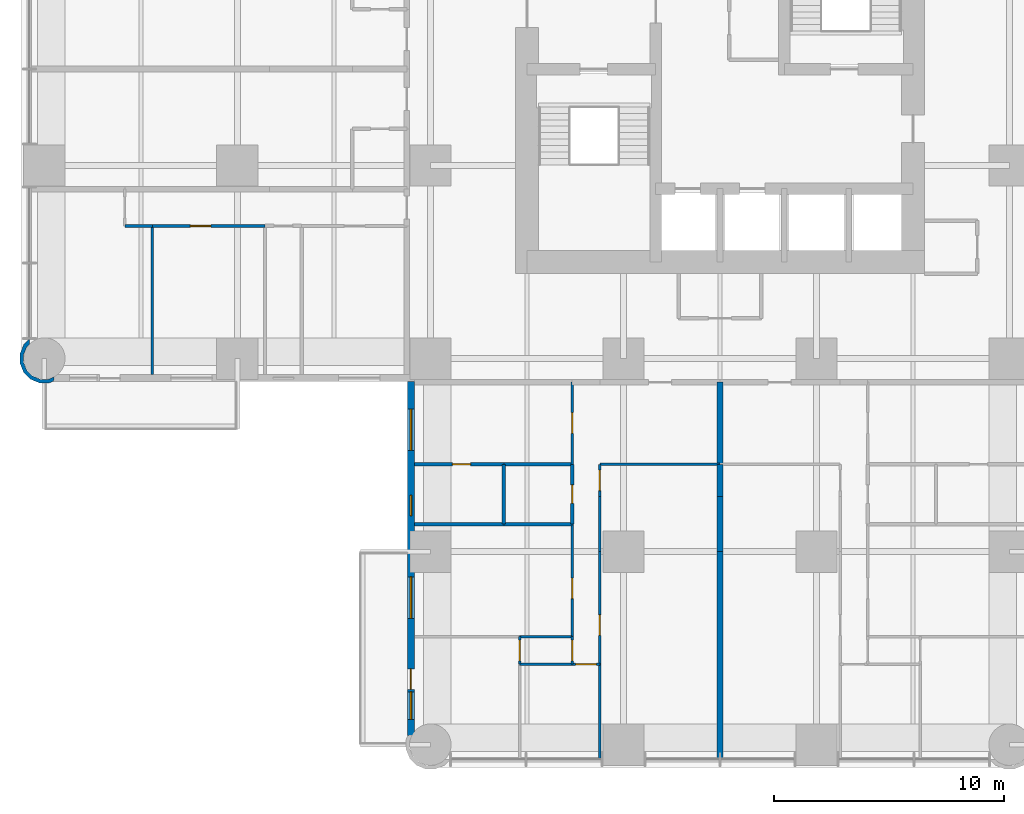
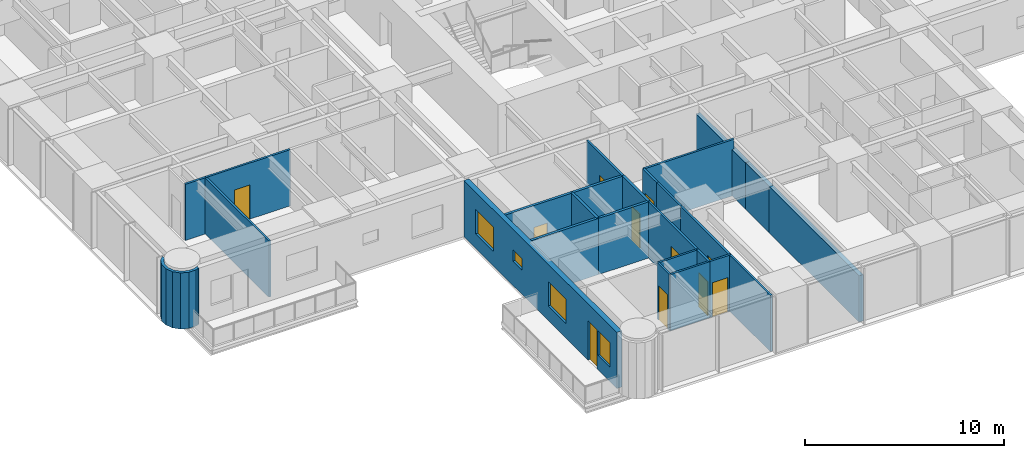
# One storey, part 7 of 17: 27 walls, 11 doors, 4 windows, 15 openings.
"""IFC4 building model written with IfcOpenShell, lengths in metres."""

from ifc_helpers import new_model, si_unit, direction, frame, frame_2d, origin, place, context, subcontext, project, spatial, polyline, rectangle, outline, extrude, material, layer, layer_set, type_object, element, fill, save


model = new_model("IFC4")

# Units and contexts
model_context = context("Model", 3, precision=1e-05, world=origin(), true_north=direction((0.0, 1.0)))
body_context = subcontext(model_context, "Body", "Model", "MODEL_VIEW")
ifc_project = project(units=[si_unit("LENGTHUNIT", "METRE"), si_unit("AREAUNIT", "SQUARE_METRE"), si_unit("VOLUMEUNIT", "CUBIC_METRE"), si_unit("PLANEANGLEUNIT", "RADIAN"), si_unit("MASSUNIT", "GRAM", prefix="KILO")], contexts=[model_context])

# Site, building, storey
site_placement = place(None, origin())
site = spatial("IfcSite", under=ifc_project, at=site_placement, CompositionType="ELEMENT")
building_placement = place(site_placement, origin())
building = spatial("IfcBuilding", under=site, at=building_placement, Name="Torre Alcanfor", CompositionType="ELEMENT")
storey_placement = place(building_placement, frame((0.0, 0.0, 70.5)))
storey = spatial("IfcBuildingStorey", under=building, at=storey_placement, Name="L17", CompositionType="ELEMENT", Elevation=70.5)

# Wall
ifc_material_1 = material(Name="Gypsum board on steel studs", Category="steel")
ifc_layer_1 = layer(ifc_material_1, 0.1201171875)
ifc_layer_set_1 = layer_set([ifc_layer_1], Name="Apartment partition 120")
wall_type_1 = type_object("IfcWallType", Name="Apartment partition 120", PredefinedType="PARTITIONING", material=ifc_layer_set_1)
wall_1_placement = place(storey_placement, frame((29.39990234375, 12.199951171875, 0.0), z_axis=(0.0, 0.0, 1.0), x_axis=(-1.0, 0.0, 0.0)))
element("IfcWall", 1, at=wall_1_placement, inside=storey, type_object=wall_type_1, Name="Partition L17-S2-ZAG / L17-S2-LAUND", PredefinedType="PARTITIONING", context=body_context, shape_type="SweptSolid", body=[
    extrude(rectangle(XDim=5.22900390625, YDim=0.1201171875, at=frame_2d((2.614501953125, 0.0))), origin(), (0.0, 0.0, 1.0), 3.449951171875),
])

# Wall, opening, door
wall_2_placement = place(storey_placement, frame((24.1708984375, 10.800048828125, 0.0), z_axis=(0.0, 0.0, 1.0), x_axis=(0.0, 1.0, 0.0)))
wall_2 = element("IfcWall", 2, at=wall_2_placement, inside=storey, type_object=wall_type_1, Name="Partition L17-S2-LAUND / L17-S2-HALL", PredefinedType="PARTITIONING", context=body_context, shape_type="SweptSolid", body=[
    extrude(rectangle(XDim=1.39990234375, YDim=0.1201171875, at=frame_2d((0.699951171875, 0.0))), origin(), (0.0, 0.0, 1.0), 3.449951171875),
])
opening_1_placement = place(wall_2_placement, frame((0.25, 0.0, 0.0)))
opening_1 = element("IfcOpeningElement", 3, at=opening_1_placement, cuts=wall_2, Name="Opening D-R1", PredefinedType="OPENING", context=body_context, shape_type="SweptSolid", body=[
    extrude(rectangle(XDim=0.89990234375, YDim=2.10009765625, at=frame_2d((0.449951171875, 1.050048828125))), frame((0.0, 0.070068359375, 0.0), z_axis=(0.0, -1.0, 0.0), x_axis=(1.0, 0.0, 0.0)), (0.0, 0.0, 1.0), 0.14013671875),
])
ifc_material_2 = material(Name="Timber", Category="wood")
door_type_1 = type_object("IfcDoorType", Name="Internal door 900x2100", OperationType="SINGLE_SWING_LEFT", PredefinedType="DOOR", material=ifc_material_2)
door_1_placement = place(opening_1_placement, frame((0.89990234375, 0.0, 0.0), z_axis=(0.0, 0.0, 1.0), x_axis=(-1.0, 0.0, 0.0)))
door_1 = element("IfcDoor", 4, at=door_1_placement, inside=storey, type_object=door_type_1, Name="Door L17-S2 laund", OperationType="SINGLE_SWING_RIGHT", OverallHeight=2.10009765625, OverallWidth=0.89990234375, PredefinedType="DOOR", context=body_context, shape_type="SweptSolid", body=[
    extrude(rectangle(XDim=0.89990234375, YDim=2.10009765625, at=frame_2d((0.449951171875, 1.050048828125))), frame((0.0, 0.025146484375, 0.0), z_axis=(0.0, -1.0, 0.0), x_axis=(1.0, 0.0, 0.0)), (0.0, 0.0, 1.0), 0.050048828125),
])
fill(opening_1, door_1)

# Wall
wall_3_placement = place(storey_placement, frame((24.1708984375, 8.39990234375, 0.0), z_axis=(0.0, 0.0, 1.0), x_axis=(0.0, 1.0, 0.0)))
element("IfcWall", 5, at=wall_3_placement, inside=storey, type_object=wall_type_1, Name="Partition L17-S2-KITCHEN / L17-S2-HALL", PredefinedType="PARTITIONING", context=body_context, shape_type="SweptSolid", body=[
    extrude(rectangle(XDim=2.400146484375, YDim=0.1201171875, at=frame_2d((1.2001953125, 0.0))), origin(), (0.0, 0.0, 1.0), 3.449951171875),
])

# Wall, opening, door
wall_4_placement = place(storey_placement, frame((24.1708984375, 3.5, 0.0), z_axis=(0.0, 0.0, 1.0), x_axis=(0.0, 1.0, 0.0)))
wall_4 = element("IfcWall", 6, at=wall_4_placement, inside=storey, type_object=wall_type_1, Name="Partition L17-S2-LIVING / L17-S2-HALL", PredefinedType="PARTITIONING", context=body_context, shape_type="SweptSolid", body=[
    extrude(rectangle(XDim=4.89990234375, YDim=0.1201171875, at=frame_2d((2.449951171875, 0.0))), origin(), (0.0, 0.0, 1.0), 3.449951171875),
])
opening_2_placement = place(wall_4_placement, frame((1.25, 0.0, 0.0)))
opening_2 = element("IfcOpeningElement", 7, at=opening_2_placement, cuts=wall_4, Name="Opening D-R1", PredefinedType="OPENING", context=body_context, shape_type="SweptSolid", body=[
    extrude(rectangle(XDim=0.89990234375, YDim=2.10009765625, at=frame_2d((0.449951171875, 1.050048828125))), frame((0.0, 0.070068359375, 0.0), z_axis=(0.0, -1.0, 0.0), x_axis=(1.0, 0.0, 0.0)), (0.0, 0.0, 1.0), 0.14013671875),
])
door_2_placement = place(opening_2_placement, frame((0.89990234375, 0.0, 0.0), z_axis=(0.0, 0.0, 1.0), x_axis=(-1.0, 0.0, 0.0)))
door_2 = element("IfcDoor", 8, at=door_2_placement, inside=storey, type_object=door_type_1, Name="Door L17-S2 living", OperationType="SINGLE_SWING_LEFT", OverallHeight=2.10009765625, OverallWidth=0.89990234375, PredefinedType="DOOR", context=body_context, shape_type="SweptSolid", body=[
    extrude(rectangle(XDim=0.89990234375, YDim=2.10009765625, at=frame_2d((0.449951171875, 1.050048828125))), frame((0.0, 0.025146484375, 0.0), z_axis=(0.0, -1.0, 0.0), x_axis=(1.0, 0.0, 0.0)), (0.0, 0.0, 1.0), 0.050048828125),
])
fill(opening_2, door_2)

# Wall
wall_5_placement = place(storey_placement, frame((24.1708984375, -0.64990234375, 0.0), z_axis=(0.0, 0.0, 1.0), x_axis=(0.0, 1.0, 0.0)))
element("IfcWall", 9, at=wall_5_placement, inside=storey, type_object=wall_type_1, Name="Partition L17-S2-LIVING / L17-S2-BED2", PredefinedType="PARTITIONING", context=body_context, shape_type="SweptSolid", body=[
    extrude(rectangle(XDim=4.14990234375, YDim=0.1201171875, at=frame_2d((2.074951171875, 0.0))), origin(), (0.0, 0.0, 1.0), 3.449951171875),
])

# Wall, opening, door
wall_6_placement = place(storey_placement, frame((22.970947265625, 12.199951171875, 0.0), z_axis=(0.0, 0.0, 1.0), x_axis=(0.0, 1.0, 0.0)))
wall_6 = element("IfcWall", 10, at=wall_6_placement, inside=storey, type_object=wall_type_1, Name="Partition L17-S2-HALL / L17-S2-SERV", PredefinedType="PARTITIONING", context=body_context, shape_type="SweptSolid", body=[
    extrude(rectangle(XDim=3.574951171875, YDim=0.1201171875, at=frame_2d((1.78759765625, 0.0))), origin(), (0.0, 0.0, 1.0), 3.449951171875),
])
opening_3_placement = place(wall_6_placement, frame((1.35009765625, 0.0, 0.0)))
opening_3 = element("IfcOpeningElement", 11, at=opening_3_placement, cuts=wall_6, Name="Opening D-R1", PredefinedType="OPENING", context=body_context, shape_type="SweptSolid", body=[
    extrude(rectangle(XDim=0.89990234375, YDim=2.10009765625, at=frame_2d((0.449951171875, 1.050048828125))), frame((0.0, 0.070068359375, 0.0), z_axis=(0.0, -1.0, 0.0), x_axis=(1.0, 0.0, 0.0)), (0.0, 0.0, 1.0), 0.14013671875),
])
door_3_placement = place(opening_3_placement, origin())
door_3 = element("IfcDoor", 12, at=door_3_placement, inside=storey, type_object=door_type_1, Name="Door L17-S2 serv", OperationType="SINGLE_SWING_RIGHT", OverallHeight=2.10009765625, OverallWidth=0.89990234375, PredefinedType="DOOR", context=body_context, shape_type="SweptSolid", body=[
    extrude(rectangle(XDim=0.89990234375, YDim=2.10009765625, at=frame_2d((0.449951171875, 1.050048828125))), frame((0.0, 0.02490234375, 0.0), z_axis=(0.0, -1.0, 0.0), x_axis=(1.0, 0.0, 0.0)), (0.0, 0.0, 1.0), 0.050048828125),
])
fill(opening_3, door_3)

wall_7_placement = place(storey_placement, frame((22.970947265625, 4.699951171875, 0.0), z_axis=(0.0, 0.0, 1.0), x_axis=(0.0, 1.0, 0.0)))
wall_7 = element("IfcWall", 13, at=wall_7_placement, inside=storey, type_object=wall_type_1, Name="Partition L17-S2-HALL / L17-S2-BED3", PredefinedType="PARTITIONING", context=body_context, shape_type="SweptSolid", body=[
    extrude(rectangle(XDim=4.900146484375, YDim=0.1201171875, at=frame_2d((2.4501953125, 0.0))), origin(), (0.0, 0.0, 1.0), 3.449951171875),
])
opening_4_placement = place(wall_7_placement, frame((1.64990234375, 0.0, 0.0)))
opening_4 = element("IfcOpeningElement", 14, at=opening_4_placement, cuts=wall_7, Name="Opening D-R1", PredefinedType="OPENING", context=body_context, shape_type="SweptSolid", body=[
    extrude(rectangle(XDim=0.89990234375, YDim=2.10009765625, at=frame_2d((0.449951171875, 1.050048828125))), frame((0.0, 0.070068359375, 0.0), z_axis=(0.0, -1.0, 0.0), x_axis=(1.0, 0.0, 0.0)), (0.0, 0.0, 1.0), 0.14013671875),
])
door_4_placement = place(opening_4_placement, origin())
door_4 = element("IfcDoor", 15, at=door_4_placement, inside=storey, type_object=door_type_1, Name="Door L17-S2 bed3", OperationType="SINGLE_SWING_LEFT", OverallHeight=2.10009765625, OverallWidth=0.89990234375, PredefinedType="DOOR", context=body_context, shape_type="SweptSolid", body=[
    extrude(rectangle(XDim=0.89990234375, YDim=2.10009765625, at=frame_2d((0.449951171875, 1.050048828125))), frame((0.0, 0.02490234375, 0.0), z_axis=(0.0, -1.0, 0.0), x_axis=(1.0, 0.0, 0.0)), (0.0, 0.0, 1.0), 0.050048828125),
])
fill(opening_4, door_4)

wall_8_placement = place(storey_placement, frame((22.970947265625, 3.5, 0.0), z_axis=(0.0, 0.0, 1.0), x_axis=(0.0, 1.0, 0.0)))
wall_8 = element("IfcWall", 16, at=wall_8_placement, inside=storey, type_object=wall_type_1, Name="Partition L17-S2-HALL / L17-S2-VEST", PredefinedType="PARTITIONING", context=body_context, shape_type="SweptSolid", body=[
    extrude(rectangle(XDim=1.199951171875, YDim=0.1201171875, at=frame_2d((0.60009765625, 0.0))), origin(), (0.0, 0.0, 1.0), 3.449951171875),
])
opening_5_placement = place(wall_8_placement, frame((0.14990234375, 0.0, 0.0)))
opening_5 = element("IfcOpeningElement", 17, at=opening_5_placement, cuts=wall_8, Name="Opening D-R1", PredefinedType="OPENING", context=body_context, shape_type="SweptSolid", body=[
    extrude(rectangle(XDim=0.89990234375, YDim=2.10009765625, at=frame_2d((0.449951171875, 1.050048828125))), frame((0.0, 0.070068359375, 0.0), z_axis=(0.0, -1.0, 0.0), x_axis=(1.0, 0.0, 0.0)), (0.0, 0.0, 1.0), 0.14013671875),
])
door_5_placement = place(opening_5_placement, origin())
door_5 = element("IfcDoor", 18, at=door_5_placement, inside=storey, type_object=door_type_1, Name="Door L17-S2 vest", OperationType="SINGLE_SWING_LEFT", OverallHeight=2.10009765625, OverallWidth=0.89990234375, PredefinedType="DOOR", context=body_context, shape_type="SweptSolid", body=[
    extrude(rectangle(XDim=0.89990234375, YDim=2.10009765625, at=frame_2d((0.449951171875, 1.050048828125))), frame((0.0, 0.02490234375, 0.0), z_axis=(0.0, -1.0, 0.0), x_axis=(1.0, 0.0, 0.0)), (0.0, 0.0, 1.0), 0.050048828125),
])
fill(opening_5, door_5)

wall_9_placement = place(storey_placement, frame((24.1708984375, 3.5, 0.0), z_axis=(0.0, 0.0, 1.0), x_axis=(-1.0, 0.0, 0.0)))
wall_9 = element("IfcWall", 19, at=wall_9_placement, inside=storey, type_object=wall_type_1, Name="Partition L17-S2-HALL / L17-S2-BED2", PredefinedType="PARTITIONING", context=body_context, shape_type="SweptSolid", body=[
    extrude(rectangle(XDim=1.199951171875, YDim=0.1201171875, at=frame_2d((0.60009765625, 0.0))), origin(), (0.0, 0.0, 1.0), 3.449951171875),
])
opening_6_placement = place(wall_9_placement, frame((0.15087890625, 0.0, 0.0)))
opening_6 = element("IfcOpeningElement", 20, at=opening_6_placement, cuts=wall_9, Name="Opening D-R1", PredefinedType="OPENING", context=body_context, shape_type="SweptSolid", body=[
    extrude(rectangle(XDim=0.89990234375, YDim=2.10009765625, at=frame_2d((0.449951171875, 1.050048828125))), frame((0.0, 0.070068359375, 0.0), z_axis=(0.0, -1.0, 0.0), x_axis=(1.0, 0.0, 0.0)), (0.0, 0.0, 1.0), 0.14013671875),
])
door_6_placement = place(opening_6_placement, origin())
door_6 = element("IfcDoor", 21, at=door_6_placement, inside=storey, type_object=door_type_1, Name="Door L17-S2 bed2", OperationType="SINGLE_SWING_LEFT", OverallHeight=2.10009765625, OverallWidth=0.89990234375, PredefinedType="DOOR", context=body_context, shape_type="SweptSolid", body=[
    extrude(rectangle(XDim=0.89990234375, YDim=2.10009765625, at=frame_2d((0.449951171875, 1.050048828125))), frame((0.0, 0.02490234375, 0.0), z_axis=(0.0, -1.0, 0.0), x_axis=(1.0, 0.0, 0.0)), (0.0, 0.0, 1.0), 0.050048828125),
])
fill(opening_6, door_6)

# Walls
for number, where, z_axis, x_axis, name in (
    (22, (22.970947265625, 4.699951171875, 0.0), (0.0, 0.0, 1.0), (-1.0, 0.0, 0.0), "Partition L17-S2-BED3 / L17-S2-VEST"),
    (23, (22.970947265625, 3.5, 0.0), (0.0, 0.0, 1.0), (-1.0, 0.0, 0.0), "Partition L17-S2-VEST / L17-S2-BED2"),
):
    element("IfcWall", number, at=place(storey_placement, frame(where, z_axis=z_axis, x_axis=x_axis)), inside=storey, type_object=wall_type_1, Name=name, PredefinedType="PARTITIONING", context=body_context, shape_type="SweptSolid", body=[
        extrude(rectangle(XDim=2.284912109375, YDim=0.1201171875, at=frame_2d((1.142578125, 0.0))), origin(), (0.0, 0.0, 1.0), 3.449951171875),
    ])

# Wall, opening, door
wall_10_placement = place(storey_placement, frame((20.68603515625, 3.5, 0.0), z_axis=(0.0, 0.0, 1.0), x_axis=(0.0, 1.0, 0.0)))
wall_10 = element("IfcWall", 24, at=wall_10_placement, inside=storey, type_object=wall_type_1, Name="Partition L17-S2-VEST / L17-S2-MASTER", PredefinedType="PARTITIONING", context=body_context, shape_type="SweptSolid", body=[
    extrude(rectangle(XDim=1.199951171875, YDim=0.1201171875, at=frame_2d((0.60009765625, 0.0))), origin(), (0.0, 0.0, 1.0), 3.449951171875),
])
opening_7_placement = place(wall_10_placement, frame((0.14990234375, 0.0, 0.0)))
opening_7 = element("IfcOpeningElement", 25, at=opening_7_placement, cuts=wall_10, Name="Opening D-R1", PredefinedType="OPENING", context=body_context, shape_type="SweptSolid", body=[
    extrude(rectangle(XDim=0.89990234375, YDim=2.10009765625, at=frame_2d((0.449951171875, 1.050048828125))), frame((0.0, 0.070068359375, 0.0), z_axis=(0.0, -1.0, 0.0), x_axis=(1.0, 0.0, 0.0)), (0.0, 0.0, 1.0), 0.14013671875),
])
door_7_placement = place(opening_7_placement, frame((0.89990234375, 0.0, 0.0), z_axis=(0.0, 0.0, 1.0), x_axis=(-1.0, 0.0, 0.0)))
door_7 = element("IfcDoor", 26, at=door_7_placement, inside=storey, type_object=door_type_1, Name="Door L17-S2 master", OperationType="SINGLE_SWING_RIGHT", OverallHeight=2.10009765625, OverallWidth=0.89990234375, PredefinedType="DOOR", context=body_context, shape_type="SweptSolid", body=[
    extrude(rectangle(XDim=0.89990234375, YDim=2.10009765625, at=frame_2d((0.449951171875, 1.050048828125))), frame((0.0, 0.025146484375, 0.0), z_axis=(0.0, -1.0, 0.0), x_axis=(1.0, 0.0, 0.0)), (0.0, 0.0, 1.0), 0.050048828125),
])
fill(opening_7, door_7)

wall_11_placement = place(storey_placement, frame((4.699951171875, 22.571044921875, 0.0), z_axis=(0.0, 0.0, 1.0), x_axis=(1.0, 0.0, 0.0)))
wall_11 = element("IfcWall", 27, at=wall_11_placement, inside=storey, type_object=wall_type_1, Name="Partition L17-W1B-HALL / L17-W1B-MASTER", PredefinedType="PARTITIONING", context=body_context, shape_type="SweptSolid", body=[
    extrude(rectangle(XDim=4.900146484375, YDim=0.1201171875, at=frame_2d((2.4501953125, 0.0))), origin(), (0.0, 0.0, 1.0), 3.449951171875),
])
opening_8_placement = place(wall_11_placement, frame((1.64990234375, 0.0, 0.0)))
opening_8 = element("IfcOpeningElement", 28, at=opening_8_placement, cuts=wall_11, Name="Opening D-R1", PredefinedType="OPENING", context=body_context, shape_type="SweptSolid", body=[
    extrude(rectangle(XDim=0.89990234375, YDim=2.10009765625, at=frame_2d((0.449951171875, 1.050048828125))), frame((0.0, 0.070068359375, 0.0), z_axis=(0.0, -1.0, 0.0), x_axis=(1.0, 0.0, 0.0)), (0.0, 0.0, 1.0), 0.14013671875),
])
door_8_placement = place(opening_8_placement, frame((0.89990234375, 0.0, 0.0), z_axis=(0.0, 0.0, 1.0), x_axis=(-1.0, 0.0, 0.0)))
door_8 = element("IfcDoor", 29, at=door_8_placement, inside=storey, type_object=door_type_1, Name="Door L17-W1B master", OperationType="SINGLE_SWING_RIGHT", OverallHeight=2.10009765625, OverallWidth=0.89990234375, PredefinedType="DOOR", context=body_context, shape_type="SweptSolid", body=[
    extrude(rectangle(XDim=0.89990234375, YDim=2.10009765625, at=frame_2d((0.449951171875, 1.050048828125))), frame((0.0, 0.025146484375, 0.0), z_axis=(0.0, -1.0, 0.0), x_axis=(1.0, 0.0, 0.0)), (0.0, 0.0, 1.0), 0.050048828125),
])
fill(opening_8, door_8)

# Walls
wall_12_placement = place(storey_placement, frame((3.5, 22.571044921875, 0.0), z_axis=(0.0, 0.0, 1.0), x_axis=(1.0, 0.0, 0.0)))
element("IfcWall", 30, at=wall_12_placement, inside=storey, type_object=wall_type_1, Name="Partition L17-W1B-HALL / L17-W1B-KITCHEN", PredefinedType="PARTITIONING", context=body_context, shape_type="SweptSolid", body=[
    extrude(rectangle(XDim=1.199951171875, YDim=0.1201171875, at=frame_2d((0.60009765625, 0.0))), origin(), (0.0, 0.0, 1.0), 3.449951171875),
])
wall_13_placement = place(storey_placement, frame((4.699951171875, 22.571044921875, 0.0), z_axis=(0.0, 0.0, 1.0), x_axis=(0.0, -1.0, 0.0)))
element("IfcWall", 31, at=wall_13_placement, inside=storey, type_object=wall_type_1, Name="Partition L17-W1B-MASTER / L17-W1B-KITCHEN", PredefinedType="PARTITIONING", context=body_context, shape_type="SweptSolid", body=[
    extrude(rectangle(XDim=6.470947265625, YDim=0.1201171875, at=frame_2d((3.2353515625, 0.0))), origin(), (0.0, 0.0, 1.0), 3.449951171875),
])

# Wall, openings, door, windows
ifc_material_3 = material(Name="Limestone cladding", Category="masonry")
ifc_layer_2 = layer(ifc_material_3, 0.0400390625, Name="Facing")
ifc_material_4 = material(Name="Ventilated air cavity")
ifc_layer_3 = layer(ifc_material_4, 0.02001953125, ventilated=True, Name="Ventilated joint")
ifc_material_5 = material(Name="Mineral wool insulation", Category="insulation")
ifc_layer_4 = layer(ifc_material_5, 0.10009765625, Name="Insulation")
ifc_material_6 = material(Name="Concrete f'c 35 MPa", Category="concrete")
ifc_layer_5 = layer(ifc_material_6, 0.139892578125, Name="Backing")
ifc_layer_set_2 = layer_set([ifc_layer_2, ifc_layer_3, ifc_layer_4, ifc_layer_5], Name="External wall stone-clad 300")
wall_type_2 = type_object("IfcWallType", Name="External wall stone-clad 300", PredefinedType="SOLIDWALL", material=ifc_layer_set_2)
wall_14_placement = place(storey_placement, frame((15.949951171875, 15.800048828125, 0.0), z_axis=(0.0, 0.0, 1.0), x_axis=(0.0, -1.0, 0.0)))
wall_14 = element("IfcWall", 32, at=wall_14_placement, inside=storey, type_object=wall_type_2, Name="External wall L17 4", PredefinedType="SOLIDWALL", context=body_context, shape_type="SweptSolid", body=[
    extrude(rectangle(XDim=15.400146484375, YDim=0.300048828125, at=frame_2d((7.7001953125, 0.0))), origin(), (0.0, 0.0, 1.0), 3.449951171875),
])
opening_9_placement = place(wall_14_placement, frame((1.199951171875, 0.0, 0.89990234375)))
opening_9 = element("IfcOpeningElement", 33, at=opening_9_placement, cuts=wall_14, Name="Opening W2", PredefinedType="OPENING", context=body_context, shape_type="SweptSolid", body=[
    extrude(rectangle(XDim=1.800048828125, YDim=1.5, at=frame_2d((0.89990234375, 0.75))), frame((0.0, 0.159912109375, 0.0), z_axis=(0.0, -1.0, 0.0), x_axis=(1.0, 0.0, 0.0)), (0.0, 0.0, 1.0), 0.320068359375),
])
opening_10_placement = place(wall_14_placement, frame((4.949951171875, 0.0, 1.5)))
opening_10 = element("IfcOpeningElement", 34, at=opening_10_placement, cuts=wall_14, Name="Opening W3", PredefinedType="OPENING", context=body_context, shape_type="SweptSolid", body=[
    extrude(rectangle(XDim=0.89990234375, YDim=0.699951171875, at=frame_2d((0.449951171875, 0.35009765625))), frame((0.0, 0.159912109375, 0.0), z_axis=(0.0, -1.0, 0.0), x_axis=(1.0, 0.0, 0.0)), (0.0, 0.0, 1.0), 0.320068359375),
])
opening_11_placement = place(wall_14_placement, frame((8.5, 0.0, 0.89990234375)))
opening_11 = element("IfcOpeningElement", 35, at=opening_11_placement, cuts=wall_14, Name="Opening W2", PredefinedType="OPENING", context=body_context, shape_type="SweptSolid", body=[
    extrude(rectangle(XDim=1.800048828125, YDim=1.5, at=frame_2d((0.89990234375, 0.75))), frame((0.0, 0.159912109375, 0.0), z_axis=(0.0, -1.0, 0.0), x_axis=(1.0, 0.0, 0.0)), (0.0, 0.0, 1.0), 0.320068359375),
])
opening_12_placement = place(wall_14_placement, frame((12.5, 0.0, 0.0)))
opening_12 = element("IfcOpeningElement", 36, at=opening_12_placement, cuts=wall_14, Name="Opening D-B1", PredefinedType="OPENING", context=body_context, shape_type="SweptSolid", body=[
    extrude(rectangle(XDim=0.89990234375, YDim=2.39990234375, at=frame_2d((0.449951171875, 1.199951171875))), frame((0.0, 0.159912109375, 0.0), z_axis=(0.0, -1.0, 0.0), x_axis=(1.0, 0.0, 0.0)), (0.0, 0.0, 1.0), 0.320068359375),
])
opening_13_placement = place(wall_14_placement, frame((13.5, 0.0, 0.89990234375)))
opening_13 = element("IfcOpeningElement", 37, at=opening_13_placement, cuts=wall_14, Name="Opening W4", PredefinedType="OPENING", context=body_context, shape_type="SweptSolid", body=[
    extrude(rectangle(XDim=1.199951171875, YDim=1.5, at=frame_2d((0.60009765625, 0.75))), frame((0.0, 0.159912109375, 0.0), z_axis=(0.0, -1.0, 0.0), x_axis=(1.0, 0.0, 0.0)), (0.0, 0.0, 1.0), 0.320068359375),
])
ifc_material_7 = material(Name="Aluminium and glass", Category="aluminium")
door_type_2 = type_object("IfcDoorType", Name="Balcony door glazed 900x2400", OperationType="SINGLE_SWING_LEFT", PredefinedType="DOOR", material=ifc_material_7)
door_9_placement = place(opening_12_placement, origin())
door_9 = element("IfcDoor", 38, at=door_9_placement, inside=storey, type_object=door_type_2, Name="Balcony door L17-S2", OperationType="SINGLE_SWING_LEFT", OverallHeight=2.39990234375, OverallWidth=0.89990234375, PredefinedType="DOOR", context=body_context, shape_type="SweptSolid", body=[
    extrude(rectangle(XDim=0.89990234375, YDim=2.39990234375, at=frame_2d((0.449951171875, 1.199951171875))), frame((0.0, 0.02490234375, 0.0), z_axis=(0.0, -1.0, 0.0), x_axis=(1.0, 0.0, 0.0)), (0.0, 0.0, 1.0), 0.050048828125),
])
fill(opening_12, door_9)
ifc_material_8 = material(Name="Aluminium frame with clear double glazing", Category="aluminium")
window_type_1 = type_object("IfcWindowType", Name="Window bathroom 900x700", PartitioningType="SINGLE_PANEL", PredefinedType="WINDOW", material=ifc_material_8)
window_1_placement = place(opening_10_placement, origin())
window_1 = element("IfcWindow", 39, at=window_1_placement, inside=storey, type_object=window_type_1, Name="Window W3 L17-S2", OverallHeight=0.699951171875, OverallWidth=0.89990234375, PartitioningType="SINGLE_PANEL", PredefinedType="WINDOW", context=body_context, shape_type="SweptSolid", body=[
    extrude(rectangle(XDim=0.89990234375, YDim=0.699951171875, at=frame_2d((0.449951171875, 0.35009765625))), frame((0.0, 0.030029296875, 0.0), z_axis=(0.0, -1.0, 0.0), x_axis=(1.0, 0.0, 0.0)), (0.0, 0.0, 1.0), 0.06005859375),
])
fill(opening_10, window_1)
ifc_material_9 = material(Name="Aluminium frame with clear double glazing", Category="aluminium")
window_type_2 = type_object("IfcWindowType", Name="Window bedroom 1200x1500", PartitioningType="SINGLE_PANEL", PredefinedType="WINDOW", material=ifc_material_9)
window_2_placement = place(opening_13_placement, origin())
window_2 = element("IfcWindow", 40, at=window_2_placement, inside=storey, type_object=window_type_2, Name="Window W4 L17-S2", OverallHeight=1.5, OverallWidth=1.199951171875, PartitioningType="SINGLE_PANEL", PredefinedType="WINDOW", context=body_context, shape_type="SweptSolid", body=[
    extrude(rectangle(XDim=1.199951171875, YDim=1.5, at=frame_2d((0.60009765625, 0.75))), frame((0.0, 0.030029296875, 0.0), z_axis=(0.0, -1.0, 0.0), x_axis=(1.0, 0.0, 0.0)), (0.0, 0.0, 1.0), 0.06005859375),
])
fill(opening_13, window_2)
ifc_material_10 = material(Name="Aluminium frame with clear double glazing", Category="aluminium")
window_type_3 = type_object("IfcWindowType", Name="Window bedroom 1800x1500", PartitioningType="SINGLE_PANEL", PredefinedType="WINDOW", material=ifc_material_10)
window_3_placement = place(opening_9_placement, origin())
window_3 = element("IfcWindow", 41, at=window_3_placement, inside=storey, type_object=window_type_3, Name="Window W2 L17-S2", OverallHeight=1.5, OverallWidth=1.800048828125, PartitioningType="SINGLE_PANEL", PredefinedType="WINDOW", context=body_context, shape_type="SweptSolid", body=[
    extrude(rectangle(XDim=1.800048828125, YDim=1.5, at=frame_2d((0.89990234375, 0.75))), frame((0.0, 0.030029296875, 0.0), z_axis=(0.0, -1.0, 0.0), x_axis=(1.0, 0.0, 0.0)), (0.0, 0.0, 1.0), 0.06005859375),
])
fill(opening_9, window_3)
window_4_placement = place(opening_11_placement, origin())
window_4 = element("IfcWindow", 42, at=window_4_placement, inside=storey, type_object=window_type_3, Name="Window W2 L17-S2", OverallHeight=1.5, OverallWidth=1.800048828125, PartitioningType="SINGLE_PANEL", PredefinedType="WINDOW", context=body_context, shape_type="SweptSolid", body=[
    extrude(rectangle(XDim=1.800048828125, YDim=1.5, at=frame_2d((0.89990234375, 0.75))), frame((0.0, 0.030029296875, 0.0), z_axis=(0.0, -1.0, 0.0), x_axis=(1.0, 0.0, 0.0)), (0.0, 0.0, 1.0), 0.06005859375),
])
fill(opening_11, window_4)

# Walls
ifc_material_11 = material(Name="Concrete block masonry, hollow blocks NMX-C-404 9 MPa", Category="masonry")
ifc_layer_6 = layer(ifc_material_11, 0.25)
ifc_layer_set_3 = layer_set([ifc_layer_6], Name="Party wall 250 EI 60")
wall_type_3 = type_object("IfcWallType", Name="Party wall 250 EI 60", PredefinedType="PARTITIONING", material=ifc_layer_set_3)
wall_15_placement = place(storey_placement, frame((29.39990234375, 15.77490234375, 0.0), z_axis=(0.0, 0.0, 1.0), x_axis=(0.0, -1.0, 0.0)))
element("IfcWall", 43, at=wall_15_placement, inside=storey, type_object=wall_type_3, Name="Partition L17-S1-ZAG / L17-S2-ZAG", PredefinedType="PARTITIONING", context=body_context, shape_type="SweptSolid", body=[
    extrude(rectangle(XDim=3.574951171875, YDim=0.25, at=frame_2d((1.78759765625, 0.0))), origin(), (0.0, 0.0, 1.0), 2.847900390625),
])
wall_16_placement = place(storey_placement, frame((29.39990234375, 12.199951171875, 0.0), z_axis=(0.0, 0.0, 1.0), x_axis=(0.0, -1.0, 0.0)))
element("IfcWall", 44, at=wall_16_placement, inside=storey, type_object=wall_type_3, Name="Partition L17-S1-LAUND / L17-S2-LAUND", PredefinedType="PARTITIONING", context=body_context, shape_type="SweptSolid", body=[
    extrude(rectangle(XDim=1.39990234375, YDim=0.25, at=frame_2d((0.699951171875, 0.0))), origin(), (0.0, 0.0, 1.0), 2.847900390625),
])
wall_17_placement = place(storey_placement, frame((29.39990234375, 10.800048828125, 0.0), z_axis=(0.0, 0.0, 1.0), x_axis=(0.0, -1.0, 0.0)))
element("IfcWall", 45, at=wall_17_placement, inside=storey, type_object=wall_type_3, Name="Partition L17-S1-KITCHEN / L17-S2-KITCHEN", PredefinedType="PARTITIONING", context=body_context, shape_type="SweptSolid", body=[
    extrude(rectangle(XDim=2.400146484375, YDim=0.25, at=frame_2d((1.2001953125, 0.0))), origin(), (0.0, 0.0, 1.0), 2.847900390625),
])
wall_18_placement = place(storey_placement, frame((29.39990234375, 8.39990234375, 0.0), z_axis=(0.0, 0.0, 1.0), x_axis=(0.0, -1.0, 0.0)))
element("IfcWall", 46, at=wall_18_placement, inside=storey, type_object=wall_type_3, Name="Partition L17-S1-LIVING / L17-S2-LIVING", PredefinedType="PARTITIONING", context=body_context, shape_type="SweptSolid", body=[
    extrude(rectangle(XDim=9.0498046875, YDim=0.25, at=frame_2d((4.52490234375, 0.0))), origin(), (0.0, 0.0, 1.0), 2.847900390625),
])
ifc_layer_7 = layer(ifc_material_3, 0.0400390625, Name="Facing")
ifc_layer_8 = layer(ifc_material_4, 0.02001953125, ventilated=True, Name="Ventilated joint")
ifc_layer_9 = layer(ifc_material_5, 0.10009765625, Name="Insulation")
ifc_layer_10 = layer(ifc_material_6, 0.139892578125, Name="Backing")
ifc_layer_set_4 = layer_set([ifc_layer_7, ifc_layer_8, ifc_layer_9, ifc_layer_10], Name="Rounded corner pier stone-clad 300")
wall_type_4 = type_object("IfcWallType", Name="Rounded corner pier stone-clad 300", PredefinedType="SOLIDWALL", material=ifc_layer_set_4)
wall_19_placement = place(storey_placement, frame((-0.610519256, 17.56659392, 0.0), z_axis=(0.0, 0.0, 1.0), x_axis=(-0.926129809145, -0.377204953059, 0.0)))
element("IfcWall", 47, at=wall_19_placement, inside=storey, type_object=wall_type_4, Name="Corner pier L17 14", PredefinedType="SOLIDWALL", context=body_context, shape_type="SweptSolid", body=[
    extrude(outline(polyline([(-0.2694320048751383, 2.0171861008885523), (-0.3700526678318482, 1.8406866495551875), (-0.10232913830325796, 1.8423628952563784), (0.22959433821660935, 1.7071732294627), (0.4846648868960458, 1.4551341488862783), (0.6237723089217844, 1.1248457008471362), (0.6256501657648526, 0.7663568996565957), (0.49046049997117414, 0.4344334231367283), (0.2387396163581813, 0.17949688931473468), (0.09014163443691028, 0.11691195088889664), (0.010851237809964043, -0.07776523799639344), (0.024417592436116662, -0.08329070117597158), (0.32956848036437986, 0.045229547111777235), (0.4801338191951393, 0.19743274075920003), (0.4990091877024963, 0.1926447125875501), (0.5075557555746872, 0.2252788612711387), (0.6260018077392729, 0.3452223941390844), (0.7850430562581303, 0.7357073014618439), (0.782472278983801, 1.15721841463542), (0.6187061231885674, 1.5460551039454697), (0.3187132761612602, 1.8424884313203629), (-0.07154552525106339, 2.0014375887862275), (-0.2401131340992967, 2.00049972024067), (-0.2694320048751383, 2.0171861008885523)])), origin(), (0.0, 0.0, 1.0), 3.449951171875),
])

# Wall, opening, door
ifc_material_12 = material(Name="Cement board on steel studs", Category="steel")
ifc_layer_11 = layer(ifc_material_12, 0.14990234375)
ifc_layer_set_5 = layer_set([ifc_layer_11], Name="Wet area partition 150")
wall_type_5 = type_object("IfcWallType", Name="Wet area partition 150", PredefinedType="PARTITIONING", material=ifc_layer_set_5)
wall_20_placement = place(storey_placement, frame((22.970947265625, 9.60009765625, 0.0), z_axis=(0.0, 0.0, 1.0), x_axis=(0.0, 1.0, 0.0)))
wall_20 = element("IfcWall", 48, at=wall_20_placement, inside=storey, type_object=wall_type_5, Name="Partition L17-S2-HALL / L17-S2-BATH1", PredefinedType="PARTITIONING", context=body_context, shape_type="SweptSolid", body=[
    extrude(rectangle(XDim=2.599853515625, YDim=0.14990234375, at=frame_2d((1.2998046875, 0.0))), origin(), (0.0, 0.0, 1.0), 3.449951171875),
])
opening_14_placement = place(wall_20_placement, frame((0.89990234375, 0.0, 0.0)))
opening_14 = element("IfcOpeningElement", 49, at=opening_14_placement, cuts=wall_20, Name="Opening D-R2", PredefinedType="OPENING", context=body_context, shape_type="SweptSolid", body=[
    extrude(rectangle(XDim=0.800048828125, YDim=2.10009765625, at=frame_2d((0.39990234375, 1.050048828125))), frame((0.0, 0.0849609375, 0.0), z_axis=(0.0, -1.0, 0.0), x_axis=(1.0, 0.0, 0.0)), (0.0, 0.0, 1.0), 0.169921875),
])
ifc_material_13 = material(Name="Timber", Category="wood")
door_type_3 = type_object("IfcDoorType", Name="Bathroom door 800x2100", OperationType="SINGLE_SWING_LEFT", PredefinedType="DOOR", material=ifc_material_13)
door_10_placement = place(opening_14_placement, origin())
door_10 = element("IfcDoor", 50, at=door_10_placement, inside=storey, type_object=door_type_3, Name="Door L17-S2 bath1", OperationType="SINGLE_SWING_LEFT", OverallHeight=2.10009765625, OverallWidth=0.800048828125, PredefinedType="DOOR", context=body_context, shape_type="SweptSolid", body=[
    extrude(rectangle(XDim=0.800048828125, YDim=2.10009765625, at=frame_2d((0.39990234375, 1.050048828125))), frame((0.0, 0.02490234375, 0.0), z_axis=(0.0, -1.0, 0.0), x_axis=(1.0, 0.0, 0.0)), (0.0, 0.0, 1.0), 0.050048828125),
])
fill(opening_14, door_10)

# Wall
wall_21_placement = place(storey_placement, frame((22.970947265625, 12.199951171875, 0.0), z_axis=(0.0, 0.0, 1.0), x_axis=(-1.0, 0.0, 0.0)))
element("IfcWall", 51, at=wall_21_placement, inside=storey, type_object=wall_type_5, Name="Partition L17-S2-SERV / L17-S2-BATH1", PredefinedType="PARTITIONING", context=body_context, shape_type="SweptSolid", body=[
    extrude(rectangle(XDim=2.970947265625, YDim=0.14990234375, at=frame_2d((1.4853515625, 0.0))), origin(), (0.0, 0.0, 1.0), 3.449951171875),
])

# Wall, opening, door
wall_22_placement = place(storey_placement, frame((20.0, 12.199951171875, 0.0), z_axis=(0.0, 0.0, 1.0), x_axis=(-1.0, 0.0, 0.0)))
wall_22 = element("IfcWall", 52, at=wall_22_placement, inside=storey, type_object=wall_type_5, Name="Partition L17-S2-SERV / L17-S2-SBATH", PredefinedType="PARTITIONING", context=body_context, shape_type="SweptSolid", body=[
    extrude(rectangle(XDim=3.89990234375, YDim=0.14990234375, at=frame_2d((1.949951171875, 0.0))), origin(), (0.0, 0.0, 1.0), 3.449951171875),
])
opening_15_placement = place(wall_22_placement, frame((1.449951171875, 0.0, 0.0)))
opening_15 = element("IfcOpeningElement", 53, at=opening_15_placement, cuts=wall_22, Name="Opening D-R2", PredefinedType="OPENING", context=body_context, shape_type="SweptSolid", body=[
    extrude(rectangle(XDim=0.800048828125, YDim=2.10009765625, at=frame_2d((0.39990234375, 1.050048828125))), frame((0.0, 0.0849609375, 0.0), z_axis=(0.0, -1.0, 0.0), x_axis=(1.0, 0.0, 0.0)), (0.0, 0.0, 1.0), 0.169921875),
])
door_11_placement = place(opening_15_placement, origin())
door_11 = element("IfcDoor", 54, at=door_11_placement, inside=storey, type_object=door_type_3, Name="Door L17-S2 sbath", OperationType="SINGLE_SWING_LEFT", OverallHeight=2.10009765625, OverallWidth=0.800048828125, PredefinedType="DOOR", context=body_context, shape_type="SweptSolid", body=[
    extrude(rectangle(XDim=0.800048828125, YDim=2.10009765625, at=frame_2d((0.39990234375, 1.050048828125))), frame((0.0, 0.02490234375, 0.0), z_axis=(0.0, -1.0, 0.0), x_axis=(1.0, 0.0, 0.0)), (0.0, 0.0, 1.0), 0.050048828125),
])
fill(opening_15, door_11)

# Walls
wall_23_placement = place(storey_placement, frame((20.0, 9.60009765625, 0.0), z_axis=(0.0, 0.0, 1.0), x_axis=(0.0, 1.0, 0.0)))
element("IfcWall", 55, at=wall_23_placement, inside=storey, type_object=wall_type_5, Name="Partition L17-S2-BATH1 / L17-S2-SBATH", PredefinedType="PARTITIONING", context=body_context, shape_type="SweptSolid", body=[
    extrude(rectangle(XDim=2.599853515625, YDim=0.14990234375, at=frame_2d((1.2998046875, 0.0))), origin(), (0.0, 0.0, 1.0), 3.449951171875),
])
wall_24_placement = place(storey_placement, frame((22.970947265625, 9.60009765625, 0.0), z_axis=(0.0, 0.0, 1.0), x_axis=(-1.0, 0.0, 0.0)))
element("IfcWall", 56, at=wall_24_placement, inside=storey, type_object=wall_type_5, Name="Partition L17-S2-BATH1 / L17-S2-BED3", PredefinedType="PARTITIONING", context=body_context, shape_type="SweptSolid", body=[
    extrude(rectangle(XDim=2.970947265625, YDim=0.14990234375, at=frame_2d((1.4853515625, 0.0))), origin(), (0.0, 0.0, 1.0), 3.449951171875),
])
wall_25_placement = place(storey_placement, frame((20.0, 9.60009765625, 0.0), z_axis=(0.0, 0.0, 1.0), x_axis=(-1.0, 0.0, 0.0)))
element("IfcWall", 57, at=wall_25_placement, inside=storey, type_object=wall_type_5, Name="Partition L17-S2-SBATH / L17-S2-BED3", PredefinedType="PARTITIONING", context=body_context, shape_type="SweptSolid", body=[
    extrude(rectangle(XDim=3.89990234375, YDim=0.14990234375, at=frame_2d((1.949951171875, 0.0))), origin(), (0.0, 0.0, 1.0), 3.449951171875),
])

save(model, "model.ifc")
